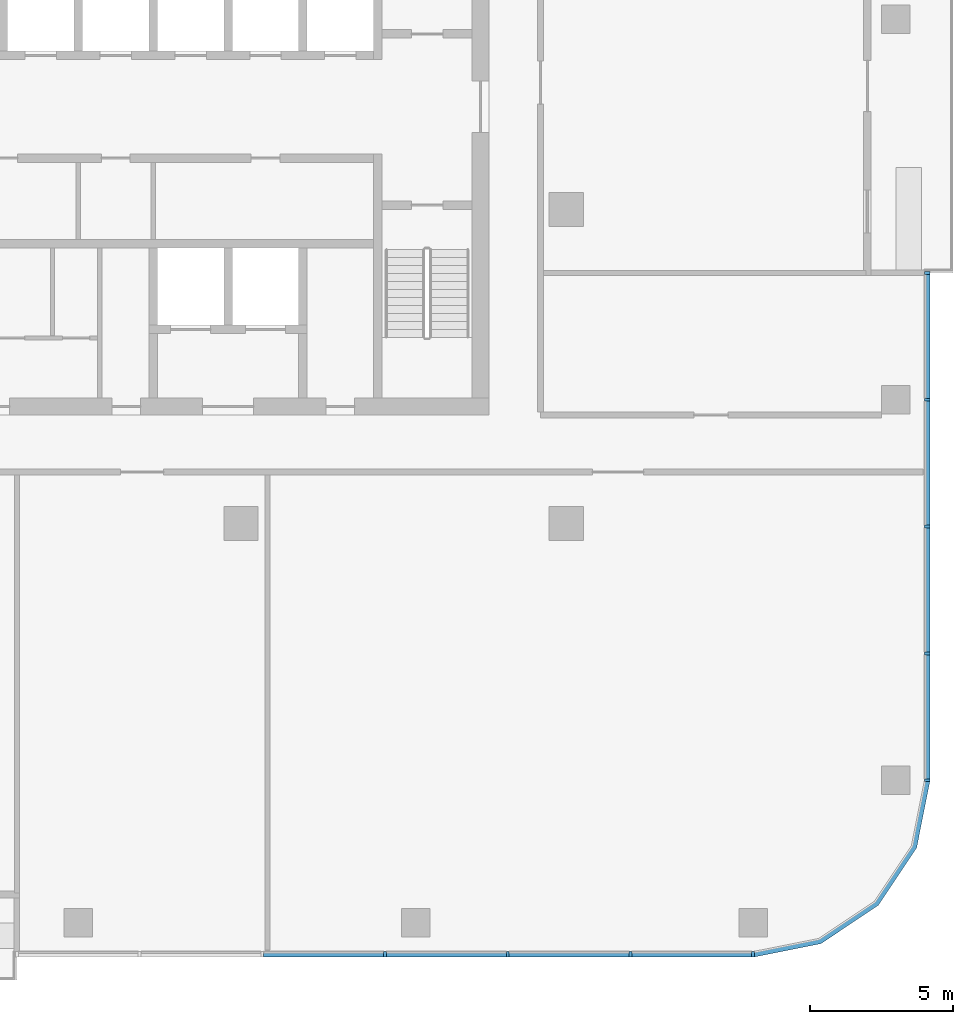
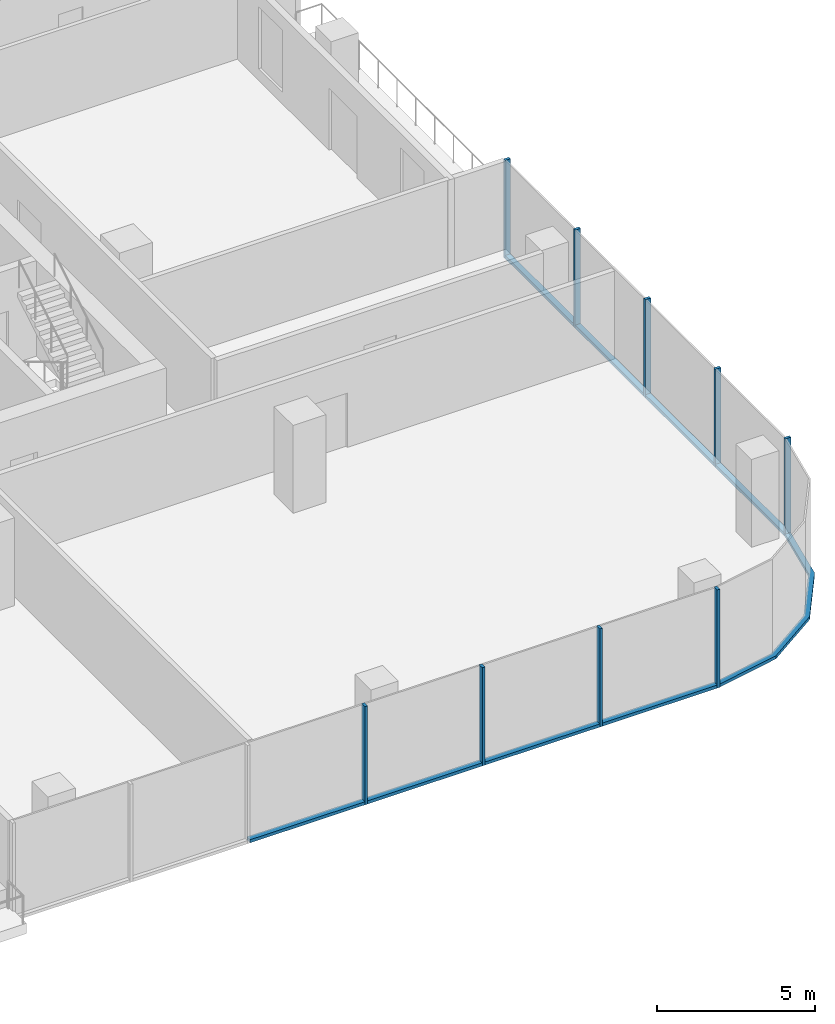
# One storey, part 3 of 13: 18 members, 3 elements without a shape of their own.
"""IFC4 building model written with IfcOpenShell, lengths in metres."""

from ifc_helpers import new_model, si_unit, direction, frame, origin, origin_2d, place, context, subcontext, project, spatial, polyline, rectangle, outline, extrude, material, material_profile, profile_set, type_object, element, aggregate, save


model = new_model("IFC4")

# Units and contexts
model_context = context("Model", 3, precision=1e-05, world=origin(), true_north=direction((0.0, 1.0)))
body_context = subcontext(model_context, "Body", "Model", "MODEL_VIEW")
ifc_project = project(units=[si_unit("LENGTHUNIT", "METRE"), si_unit("AREAUNIT", "SQUARE_METRE"), si_unit("VOLUMEUNIT", "CUBIC_METRE"), si_unit("PLANEANGLEUNIT", "RADIAN"), si_unit("MASSUNIT", "GRAM", prefix="KILO")], contexts=[model_context])

# Site, building, storey
site_placement = place(None, origin())
site = spatial("IfcSite", under=ifc_project, at=site_placement, CompositionType="ELEMENT")
building_placement = place(site_placement, origin())
building = spatial("IfcBuilding", under=site, at=building_placement, Name="Mopane Tessera Tower", CompositionType="ELEMENT")
storey_placement = place(building_placement, frame((0.0, 0.0, 311.39990234375)))
storey = spatial("IfcBuildingStorey", under=building, at=storey_placement, Name="L68", CompositionType="ELEMENT", Elevation=311.39990234375)

# Curtain wall, members
ifc_material_1 = material(Name="Aluminium frame", Category="aluminium")
curtain_wall_type = type_object("IfcCurtainWallType", Name="Unitised curtain wall", PredefinedType="NOTDEFINED", material=ifc_material_1)
curtain_wall_1_placement = place(storey_placement, origin())
curtain_wall_1 = element("IfcCurtainWall", 1, at=curtain_wall_1_placement, inside=storey, type_object=curtain_wall_type, Name="e:cw:L68:S:5", PredefinedType="NOTDEFINED")
ifc_material_2 = material(Name="Aluminium frame", Category="aluminium")
ifc_material_profile_1 = material_profile(ifc_material_2, rectangle(XDim=0.10009765625, YDim=0.199951171875, at=origin_2d()))
ifc_profile_set_1 = profile_set([ifc_material_profile_1], Name="Aluminium frame")
member_type_1 = type_object("IfcMemberType", Name="Aluminium mullion 100 x 200", PredefinedType="MULLION", material=ifc_profile_set_1)
member_1_placement = place(storey_placement, frame((10.75, -26.10009765625, -0.39990234375), z_axis=(0.0, 0.0, 1.0), x_axis=(1.0, 0.0, 0.0)))
member_1 = element("IfcMember", 2, at=member_1_placement, type_object=member_type_1, Name="e:cw:L68:S:5:mu8", PredefinedType="MULLION", context=body_context, shape_type="SweptSolid", body=[
    extrude(rectangle(XDim=0.10009765625, YDim=0.199951171875, at=origin_2d()), origin(), (0.0, 0.0, 1.0), 3.800048828125),
])
member_2_placement = place(storey_placement, frame((15.050048828125, -26.10009765625, -0.39990234375), z_axis=(0.0, 0.0, 1.0), x_axis=(1.0, 0.0, 0.0)))
member_2 = element("IfcMember", 3, at=member_2_placement, type_object=member_type_1, Name="e:cw:L68:S:5:mu9", PredefinedType="MULLION", context=body_context, shape_type="SweptSolid", body=[
    extrude(rectangle(XDim=0.10009765625, YDim=0.199951171875, at=origin_2d()), origin(), (0.0, 0.0, 1.0), 3.800048828125),
])
member_3_placement = place(storey_placement, frame((19.35009765625, -26.10009765625, -0.39990234375), z_axis=(0.0, 0.0, 1.0), x_axis=(1.0, 0.0, 0.0)))
member_3 = element("IfcMember", 4, at=member_3_placement, type_object=member_type_1, Name="e:cw:L68:S:5:mu10", PredefinedType="MULLION", context=body_context, shape_type="SweptSolid", body=[
    extrude(rectangle(XDim=0.10009765625, YDim=0.199951171875, at=origin_2d()), origin(), (0.0, 0.0, 1.0), 3.800048828125),
])
member_4_placement = place(storey_placement, frame((23.64990234375, -26.10009765625, -0.39990234375), z_axis=(0.0, 0.0, 1.0), x_axis=(1.0, 0.0, 0.0)))
member_4 = element("IfcMember", 5, at=member_4_placement, type_object=member_type_1, Name="e:cw:L68:S:5:mu11", PredefinedType="MULLION", context=body_context, shape_type="SweptSolid", body=[
    extrude(rectangle(XDim=0.10009765625, YDim=0.199951171875, at=origin_2d()), origin(), (0.0, 0.0, 1.0), 3.800048828125),
])

curtain_wall_2_placement = place(storey_placement, origin())
curtain_wall_2 = element("IfcCurtainWall", 6, at=curtain_wall_2_placement, inside=storey, type_object=curtain_wall_type, Name="e:cw:L68:E:0", PredefinedType="NOTDEFINED")
member_5_placement = place(storey_placement, frame((29.75, -20.0, -0.39990234375), z_axis=(0.0, 0.0, 1.0), x_axis=(0.0, 1.0, 0.0)))
member_5 = element("IfcMember", 7, at=member_5_placement, type_object=member_type_1, Name="e:cw:L68:E:0:mu0", PredefinedType="MULLION", context=body_context, shape_type="SweptSolid", body=[
    extrude(rectangle(XDim=0.10009765625, YDim=0.199951171875, at=origin_2d()), origin(), (0.0, 0.0, 1.0), 3.800048828125),
])
member_6_placement = place(storey_placement, frame((29.75, -15.5556640625, -0.39990234375), z_axis=(0.0, 0.0, 1.0), x_axis=(0.0, 1.0, 0.0)))
member_6 = element("IfcMember", 8, at=member_6_placement, type_object=member_type_1, Name="e:cw:L68:E:0:mu1", PredefinedType="MULLION", context=body_context, shape_type="SweptSolid", body=[
    extrude(rectangle(XDim=0.10009765625, YDim=0.199951171875, at=origin_2d()), origin(), (0.0, 0.0, 1.0), 3.800048828125),
])
member_7_placement = place(storey_placement, frame((29.75, -11.111083984375, -0.39990234375), z_axis=(0.0, 0.0, 1.0), x_axis=(0.0, 1.0, 0.0)))
member_7 = element("IfcMember", 9, at=member_7_placement, type_object=member_type_1, Name="e:cw:L68:E:0:mu2", PredefinedType="MULLION", context=body_context, shape_type="SweptSolid", body=[
    extrude(rectangle(XDim=0.10009765625, YDim=0.199951171875, at=origin_2d()), origin(), (0.0, 0.0, 1.0), 3.800048828125),
])
member_8_placement = place(storey_placement, frame((29.75, -6.666748046875, -0.39990234375), z_axis=(0.0, 0.0, 1.0), x_axis=(0.0, 1.0, 0.0)))
member_8 = element("IfcMember", 10, at=member_8_placement, type_object=member_type_1, Name="e:cw:L68:E:0:mu3", PredefinedType="MULLION", context=body_context, shape_type="SweptSolid", body=[
    extrude(rectangle(XDim=0.10009765625, YDim=0.199951171875, at=origin_2d()), origin(), (0.0, 0.0, 1.0), 3.800048828125),
])
member_9_placement = place(storey_placement, frame((29.75, -2.22216796875, -0.39990234375), z_axis=(0.0, 0.0, 1.0), x_axis=(0.0, 1.0, 0.0)))
member_9 = element("IfcMember", 11, at=member_9_placement, type_object=member_type_1, Name="e:cw:L68:E:0:mu4", PredefinedType="MULLION", context=body_context, shape_type="SweptSolid", body=[
    extrude(rectangle(XDim=0.10009765625, YDim=0.199951171875, at=origin_2d()), origin(), (0.0, 0.0, 1.0), 3.800048828125),
])

# Member
ifc_material_3 = material(Name="Aluminium frame", Category="aluminium")
ifc_material_profile_2 = material_profile(ifc_material_3, rectangle(XDim=0.199951171875, YDim=0.1201171875, at=origin_2d()))
ifc_profile_set_2 = profile_set([ifc_material_profile_2], Name="Aluminium frame")
member_type_2 = type_object("IfcMemberType", Name="Aluminium transom 200 x 120", PredefinedType="USERDEFINED", material=ifc_profile_set_2)
member_10_placement = place(storey_placement, frame((6.5, -26.10009765625, -0.33984375), z_axis=(1.0, 0.0, 0.0), x_axis=(0.0, 1.0, 0.0)))
member_10 = element("IfcMember", 12, at=member_10_placement, type_object=member_type_2, Name="e:cw:L68:S:5:tr7", ObjectType="TRANSOM", PredefinedType="USERDEFINED", context=body_context, shape_type="SweptSolid", body=[
    extrude(rectangle(XDim=0.199951171875, YDim=0.1201171875, at=origin_2d()), origin(), (0.0, 0.0, 1.0), 4.199951171875),
])

member_11_placement = place(storey_placement, frame((10.800048828125, -26.10009765625, -0.33984375), z_axis=(1.0, 0.0, 0.0), x_axis=(0.0, 1.0, 0.0)))
member_11 = element("IfcMember", 13, at=member_11_placement, type_object=member_type_2, Name="e:cw:L68:S:5:tr8", ObjectType="TRANSOM", PredefinedType="USERDEFINED", context=body_context, shape_type="SweptSolid", body=[
    extrude(rectangle(XDim=0.199951171875, YDim=0.1201171875, at=origin_2d()), origin(), (0.0, 0.0, 1.0), 4.199951171875),
])

member_12_placement = place(storey_placement, frame((15.10009765625, -26.10009765625, -0.33984375), z_axis=(1.0, 0.0, 0.0), x_axis=(0.0, 1.0, 0.0)))
member_12 = element("IfcMember", 14, at=member_12_placement, type_object=member_type_2, Name="e:cw:L68:S:5:tr9", ObjectType="TRANSOM", PredefinedType="USERDEFINED", context=body_context, shape_type="SweptSolid", body=[
    extrude(rectangle(XDim=0.199951171875, YDim=0.1201171875, at=origin_2d()), origin(), (0.0, 0.0, 1.0), 4.199951171875),
])

member_13_placement = place(storey_placement, frame((19.39990234375, -26.10009765625, -0.33984375), z_axis=(1.0, 0.0, 0.0), x_axis=(0.0, 1.0, 0.0)))
member_13 = element("IfcMember", 15, at=member_13_placement, type_object=member_type_2, Name="e:cw:L68:S:5:tr10", ObjectType="TRANSOM", PredefinedType="USERDEFINED", context=body_context, shape_type="SweptSolid", body=[
    extrude(rectangle(XDim=0.199951171875, YDim=0.1201171875, at=origin_2d()), origin(), (0.0, 0.0, 1.0), 4.2001953125),
])

aggregate(curtain_wall_1, [member_1, member_2, member_3, member_4, member_10, member_11, member_12, member_13])

# Curtain wall, member
curtain_wall_3_placement = place(storey_placement, origin())
curtain_wall_3 = element("IfcCurtainWall", 16, at=curtain_wall_3_placement, inside=storey, type_object=curtain_wall_type, Name="e:cw:L68:CS", PredefinedType="NOTDEFINED")
member_14_placement = place(storey_placement, frame((0.0, 0.0, -0.39990234375)))
member_14 = element("IfcMember", 17, at=member_14_placement, type_object=member_type_2, Name="e:cw:L68:CS:tr", ObjectType="TRANSOM", PredefinedType="USERDEFINED", context=body_context, shape_type="SweptSolid", body=[
    extrude(outline(polyline([(23.64990234375, -26.0), (25.946044921875, -25.543212890625), (27.892578125, -24.24267578125), (29.193359375, -22.296142578125), (29.64990234375, -20.0), (29.85009765625, -20.0), (29.378173828125, -22.37255859375), (28.0341796875, -24.384033203125), (26.022705078125, -25.72802734375), (23.64990234375, -26.199951171875), (23.64990234375, -26.0)])), origin(), (0.0, 0.0, 1.0), 0.1201171875),
])
aggregate(curtain_wall_3, [member_14])

# Member
member_15_placement = place(storey_placement, frame((29.75, -19.949951171875, -0.33984375), z_axis=(0.0, 1.0, 0.0), x_axis=(-1.0, 0.0, 0.0)))
member_15 = element("IfcMember", 18, at=member_15_placement, type_object=member_type_2, Name="e:cw:L68:E:0:tr0", ObjectType="TRANSOM", PredefinedType="USERDEFINED", context=body_context, shape_type="SweptSolid", body=[
    extrude(rectangle(XDim=0.199951171875, YDim=0.1201171875, at=origin_2d()), origin(), (0.0, 0.0, 1.0), 4.344482421875),
])

member_16_placement = place(storey_placement, frame((29.75, -15.505615234375, -0.33984375), z_axis=(0.0, 1.0, 0.0), x_axis=(-1.0, 0.0, 0.0)))
member_16 = element("IfcMember", 19, at=member_16_placement, type_object=member_type_2, Name="e:cw:L68:E:0:tr1", ObjectType="TRANSOM", PredefinedType="USERDEFINED", context=body_context, shape_type="SweptSolid", body=[
    extrude(rectangle(XDim=0.199951171875, YDim=0.1201171875, at=origin_2d()), origin(), (0.0, 0.0, 1.0), 4.344482421875),
])

member_17_placement = place(storey_placement, frame((29.75, -11.06103515625, -0.33984375), z_axis=(0.0, 1.0, 0.0), x_axis=(-1.0, 0.0, 0.0)))
member_17 = element("IfcMember", 20, at=member_17_placement, type_object=member_type_2, Name="e:cw:L68:E:0:tr2", ObjectType="TRANSOM", PredefinedType="USERDEFINED", context=body_context, shape_type="SweptSolid", body=[
    extrude(rectangle(XDim=0.199951171875, YDim=0.1201171875, at=origin_2d()), origin(), (0.0, 0.0, 1.0), 4.344482421875),
])

member_18_placement = place(storey_placement, frame((29.75, -6.61669921875, -0.33984375), z_axis=(0.0, 1.0, 0.0), x_axis=(-1.0, 0.0, 0.0)))
member_18 = element("IfcMember", 21, at=member_18_placement, type_object=member_type_2, Name="e:cw:L68:E:0:tr3", ObjectType="TRANSOM", PredefinedType="USERDEFINED", context=body_context, shape_type="SweptSolid", body=[
    extrude(rectangle(XDim=0.199951171875, YDim=0.1201171875, at=origin_2d()), origin(), (0.0, 0.0, 1.0), 4.344482421875),
])

aggregate(curtain_wall_2, [member_5, member_6, member_7, member_8, member_9, member_15, member_16, member_17, member_18])

save(model, "model.ifc")
